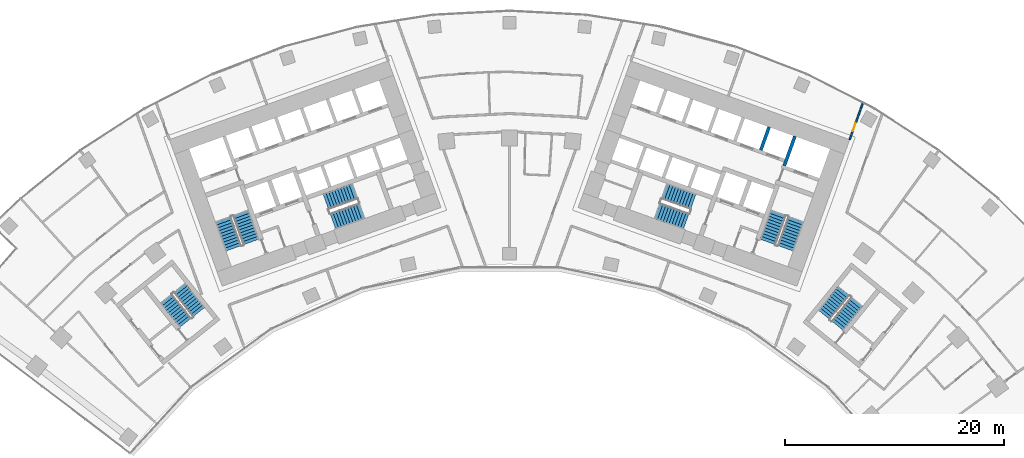
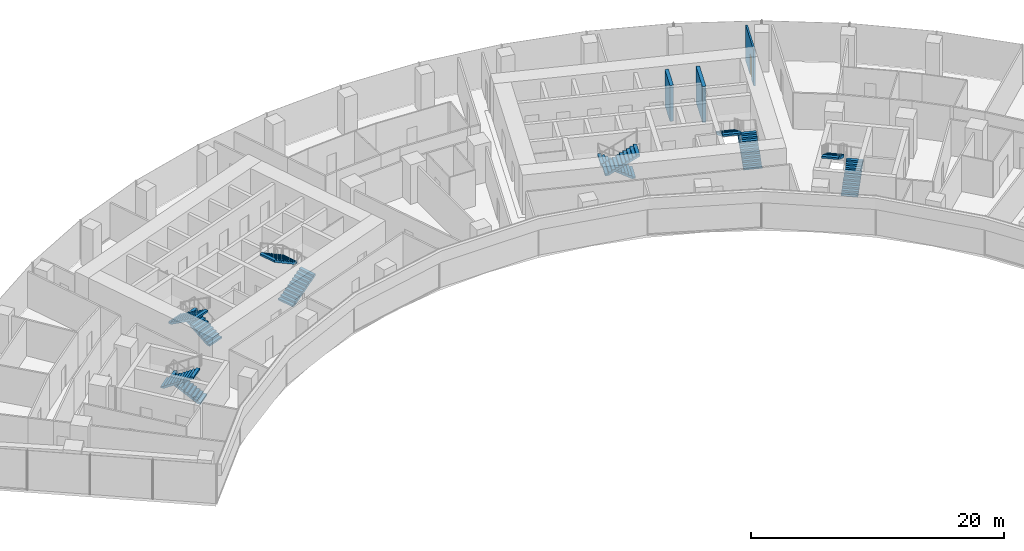
# One storey, part 19 of 21: 12 stair flights, 3 walls, 1 door, 1 opening, 6 elements without a shape of their own.
"""IFC4 building model written with IfcOpenShell, lengths in metres."""

from ifc_helpers import new_model, si_unit, direction, frame, frame_2d, origin, place, context, subcontext, project, spatial, polyline, rectangle, outline, extrude, material, layer, layer_set, type_object, element, fill, aggregate, save


model = new_model("IFC4")

# Units and contexts
model_context = context("Model", 3, precision=1e-05, world=origin(), true_north=direction((0.0, 1.0)))
body_context = subcontext(model_context, "Body", "Model", "MODEL_VIEW")
ifc_project = project(units=[si_unit("LENGTHUNIT", "METRE"), si_unit("AREAUNIT", "SQUARE_METRE"), si_unit("VOLUMEUNIT", "CUBIC_METRE"), si_unit("PLANEANGLEUNIT", "RADIAN"), si_unit("MASSUNIT", "GRAM", prefix="KILO")], contexts=[model_context])

# Site, building, storey
site_placement = place(None, origin())
site = spatial("IfcSite", under=ifc_project, at=site_placement, CompositionType="ELEMENT")
building_placement = place(site_placement, origin())
building = spatial("IfcBuilding", under=site, at=building_placement, Name="Stone Belt Terrace Tower", CompositionType="ELEMENT")
storey_placement = place(building_placement, frame((0.0, 0.0, 94.60009765625)))
storey = spatial("IfcBuildingStorey", under=building, at=storey_placement, Name="L22", CompositionType="ELEMENT", Elevation=94.60009765625)

# Walls
ifc_material_1 = material(Name="Concrete B80", Category="concrete")
ifc_layer_1 = layer(ifc_material_1, 0.300048828125)
ifc_layer_set_1 = layer_set([ifc_layer_1], Name="Lift shaft wall 300")
wall_type_1 = type_object("IfcWallType", Name="Lift shaft wall 300", PredefinedType="SHEAR", material=ifc_layer_set_1)
wall_1_placement = place(storey_placement, frame((25.046875, 52.46826171875, 0.0), z_axis=(0.0, 0.0, 1.0), x_axis=(0.338549588058, 0.940948551423, 0.0)))
element("IfcWall", 1, at=wall_1_placement, inside=storey, type_object=wall_type_1, Name="Core B wall", PredefinedType="SHEAR", context=body_context, shape_type="SweptSolid", body=[
    extrude(rectangle(XDim=2.849853515625, YDim=0.300048828125, at=frame_2d((1.4248046875, 0.0))), origin(), (0.0, 0.0, 1.0), 3.47998046875),
])
wall_2_placement = place(storey_placement, frame((22.897705078125, 53.87939453125, 0.0), z_axis=(0.0, 0.0, 1.0), x_axis=(0.338535034312, 0.940953787677, 0.0)))
element("IfcWall", 2, at=wall_2_placement, inside=storey, type_object=wall_type_1, Name="Core B wall", PredefinedType="SHEAR", context=body_context, shape_type="SweptSolid", body=[
    extrude(rectangle(XDim=2.25, YDim=0.300048828125, at=frame_2d((1.125, 0.0))), origin(), (0.0, 0.0, 1.0), 3.47998046875),
])

# Wall, opening, door
ifc_material_2 = material(Name="Gypsum board partition")
ifc_layer_2 = layer(ifc_material_2, 0.14990234375)
ifc_layer_set_2 = layer_set([ifc_layer_2], Name="PARTITION 150 EI 60")
wall_type_2 = type_object("IfcWallType", Name="PARTITION 150 EI 60", PredefinedType="PARTITIONING", material=ifc_layer_set_2)
wall_3_placement = place(storey_placement, frame((31.001953125, 54.842041015625, 0.0), z_axis=(0.0, 0.0, 1.0), x_axis=(0.338573586736, 0.940939916448, 0.0)))
wall_3 = element("IfcWall", 3, at=wall_3_placement, inside=storey, type_object=wall_type_2, Name="L22/wall/i021", PredefinedType="PARTITIONING", context=body_context, shape_type="SweptSolid", body=[
    extrude(rectangle(XDim=3.49658203125, YDim=0.14990234375, at=frame_2d((1.748291015625, 0.0))), origin(), (0.0, 0.0, 1.0), 3.47998046875),
])
opening_placement = place(wall_3_placement, frame((0.82421875, 0.0, 0.0)))
opening = element("IfcOpeningElement", 4, at=opening_placement, cuts=wall_3, Name="Opening D-B2-08", PredefinedType="OPENING", context=body_context, shape_type="SweptSolid", body=[
    extrude(rectangle(XDim=0.800048828125, YDim=2.10009765625, at=frame_2d((0.39990234375, 1.050048828125))), frame((0.0, 0.0849609375, 0.0), z_axis=(0.0, -1.0, 0.0), x_axis=(1.0, 0.0, 0.0)), (0.0, 0.0, 1.0), 0.169921875),
])
ifc_material_3 = material(Name="Timber door leaf", Category="wood")
door_type = type_object("IfcDoorType", Name="STORE DOOR 800 X 2100", OperationType="NOTDEFINED", PredefinedType="DOOR", material=ifc_material_3)
door_placement = place(opening_placement, origin())
door = element("IfcDoor", 5, at=door_placement, inside=storey, type_object=door_type, Name="L22/door/i08", OperationType="SINGLE_SWING_LEFT", OverallHeight=2.10009765625, OverallWidth=0.800048828125, PredefinedType="DOOR", context=body_context, shape_type="SweptSolid", body=[
    extrude(rectangle(XDim=0.800048828125, YDim=2.10009765625, at=frame_2d((0.39990234375, 1.050048828125))), frame((0.0, 0.02490234375, 0.0), z_axis=(0.0, -1.0, 0.0), x_axis=(1.0, 0.0, 0.0)), (0.0, 0.0, 1.0), 0.050048828125),
])
fill(opening, door)

# Stair, stair flights
ifc_material_4 = material(Name="Concrete B40", Category="concrete")
stair_type = type_object("IfcStairType", Name="Exit stair 1500", PredefinedType="HALF_TURN_STAIR", material=ifc_material_4)
stair_1_placement = place(storey_placement, origin())
stair_1 = element("IfcStair", 6, at=stair_1_placement, inside=storey, type_object=stair_type, Name="L22 Exit stair 1 core A", PredefinedType="HALF_TURN_STAIR")
stair_flight_type = type_object("IfcStairFlightType", Name="Stair flight 1500", PredefinedType="STRAIGHT", material=ifc_material_4)
stair_flight_1_placement = place(storey_placement, frame((-23.55322265625, 45.51318359375, 0.0), z_axis=(0.0, 0.0, 1.0), x_axis=(-0.338624396177, 0.940921632398, 0.0)))
stair_flight_1 = element("IfcStairFlight", 7, at=stair_flight_1_placement, type_object=stair_flight_type, Name="ST1A flight 1", NumberOfRisers=11, NumberOfTreads=10, PredefinedType="STRAIGHT", RiserHeight=0.172727273, TreadLength=0.28, context=body_context, shape_type="SweptSolid", body=[
    extrude(outline(polyline([(0.0, 0.0), (0.0, 0.172607421875), (0.280029296875, 0.172607421875), (0.280029296875, 0.345458984375), (0.56005859375, 0.345458984375), (0.56005859375, 0.51806640625), (0.840087890625, 0.51806640625), (0.840087890625, 0.69091796875), (1.1201171875, 0.69091796875), (1.1201171875, 0.863525390625), (1.39990234375, 0.863525390625), (1.39990234375, 1.036376953125), (1.679931640625, 1.036376953125), (1.679931640625, 1.208984375), (1.9599609375, 1.208984375), (1.9599609375, 1.3818359375), (2.239990234375, 1.3818359375), (2.239990234375, 1.554443359375), (2.52001953125, 1.554443359375), (2.52001953125, 1.727294921875), (2.800048828125, 1.727294921875), (2.800048828125, 1.89990234375), (2.800048828125, 1.551025390625), (0.285400390625, 0.0), (0.0, 0.0)])), frame((0.0, 0.75, 0.0), z_axis=(0.0, -1.0, 0.0), x_axis=(1.0, 0.0, 0.0)), (0.0, 0.0, 1.0), 1.5),
])
stair_flight_2_placement = place(storey_placement, frame((-26.10107421875, 47.572021484375, 1.89990234375), z_axis=(0.0, 0.0, 1.0), x_axis=(0.338624396177, -0.940921632398, 0.0)))
stair_flight_2 = element("IfcStairFlight", 8, at=stair_flight_2_placement, type_object=stair_flight_type, Name="ST1A flight 2", NumberOfRisers=11, NumberOfTreads=10, PredefinedType="STRAIGHT", RiserHeight=0.172727273, TreadLength=0.28, context=body_context, shape_type="SweptSolid", body=[
    extrude(outline(polyline([(0.0, 0.0), (0.0, 0.172607421875), (0.280029296875, 0.172607421875), (0.280029296875, 0.345458984375), (0.56005859375, 0.345458984375), (0.56005859375, 0.51806640625), (0.840087890625, 0.51806640625), (0.840087890625, 0.69091796875), (1.1201171875, 0.69091796875), (1.1201171875, 0.863525390625), (1.39990234375, 0.863525390625), (1.39990234375, 1.036376953125), (1.679931640625, 1.036376953125), (1.679931640625, 1.208984375), (1.9599609375, 1.208984375), (1.9599609375, 1.3818359375), (2.239990234375, 1.3818359375), (2.239990234375, 1.554443359375), (2.52001953125, 1.554443359375), (2.52001953125, 1.727294921875), (2.800048828125, 1.727294921875), (2.800048828125, 1.89990234375), (2.800048828125, 1.551025390625), (0.285400390625, 0.0), (0.0, 0.0)])), frame((0.0, 0.75, 0.0), z_axis=(0.0, -1.0, 0.0), x_axis=(1.0, 0.0, 0.0)), (0.0, 0.0, 1.0), 1.5),
])
aggregate(stair_1, [stair_flight_1, stair_flight_2])

stair_2_placement = place(storey_placement, origin())
stair_2 = element("IfcStair", 9, at=stair_2_placement, inside=storey, type_object=stair_type, Name="L22 Exit stair 2 core A", PredefinedType="HALF_TURN_STAIR")
stair_flight_3_placement = place(storey_placement, frame((-16.101318359375, 47.39794921875, 0.0), z_axis=(0.0, 0.0, 1.0), x_axis=(0.940921632398, 0.338624396177, 0.0)))
stair_flight_3 = element("IfcStairFlight", 10, at=stair_flight_3_placement, type_object=stair_flight_type, Name="ST2A flight 1", NumberOfRisers=11, NumberOfTreads=10, PredefinedType="STRAIGHT", RiserHeight=0.172727273, TreadLength=0.28, context=body_context, shape_type="SweptSolid", body=[
    extrude(outline(polyline([(0.0, 0.0), (0.0, 0.172607421875), (0.280029296875, 0.172607421875), (0.280029296875, 0.345458984375), (0.56005859375, 0.345458984375), (0.56005859375, 0.51806640625), (0.840087890625, 0.51806640625), (0.840087890625, 0.69091796875), (1.1201171875, 0.69091796875), (1.1201171875, 0.863525390625), (1.39990234375, 0.863525390625), (1.39990234375, 1.036376953125), (1.679931640625, 1.036376953125), (1.679931640625, 1.208984375), (1.9599609375, 1.208984375), (1.9599609375, 1.3818359375), (2.239990234375, 1.3818359375), (2.239990234375, 1.554443359375), (2.52001953125, 1.554443359375), (2.52001953125, 1.727294921875), (2.800048828125, 1.727294921875), (2.800048828125, 1.89990234375), (2.800048828125, 1.551025390625), (0.285400390625, 0.0), (0.0, 0.0)])), frame((0.0, 0.75, 0.0), z_axis=(0.0, -1.0, 0.0), x_axis=(1.0, 0.0, 0.0)), (0.0, 0.0, 1.0), 1.5),
])
stair_flight_4_placement = place(storey_placement, frame((-14.110107421875, 50.1337890625, 1.89990234375), z_axis=(0.0, 0.0, 1.0), x_axis=(-0.940921632398, -0.338624396177, 0.0)))
stair_flight_4 = element("IfcStairFlight", 11, at=stair_flight_4_placement, type_object=stair_flight_type, Name="ST2A flight 2", NumberOfRisers=11, NumberOfTreads=10, PredefinedType="STRAIGHT", RiserHeight=0.172727273, TreadLength=0.28, context=body_context, shape_type="SweptSolid", body=[
    extrude(outline(polyline([(0.0, 0.0), (0.0, 0.172607421875), (0.280029296875, 0.172607421875), (0.280029296875, 0.345458984375), (0.56005859375, 0.345458984375), (0.56005859375, 0.51806640625), (0.840087890625, 0.51806640625), (0.840087890625, 0.69091796875), (1.1201171875, 0.69091796875), (1.1201171875, 0.863525390625), (1.39990234375, 0.863525390625), (1.39990234375, 1.036376953125), (1.679931640625, 1.036376953125), (1.679931640625, 1.208984375), (1.9599609375, 1.208984375), (1.9599609375, 1.3818359375), (2.239990234375, 1.3818359375), (2.239990234375, 1.554443359375), (2.52001953125, 1.554443359375), (2.52001953125, 1.727294921875), (2.800048828125, 1.727294921875), (2.800048828125, 1.89990234375), (2.800048828125, 1.551025390625), (0.285400390625, 0.0), (0.0, 0.0)])), frame((0.0, 0.75, 0.0), z_axis=(0.0, -1.0, 0.0), x_axis=(1.0, 0.0, 0.0)), (0.0, 0.0, 1.0), 1.5),
])
aggregate(stair_2, [stair_flight_3, stair_flight_4])

stair_3_placement = place(storey_placement, origin())
stair_3 = element("IfcStair", 12, at=stair_3_placement, inside=storey, type_object=stair_type, Name="L22 Exit stair 1 core B", PredefinedType="HALF_TURN_STAIR")
stair_flight_5_placement = place(storey_placement, frame((25.15283203125, 44.9375, 0.0), z_axis=(0.0, 0.0, 1.0), x_axis=(0.338624396177, 0.940921632398, 0.0)))
stair_flight_5 = element("IfcStairFlight", 13, at=stair_flight_5_placement, type_object=stair_flight_type, Name="ST1B flight 1", NumberOfRisers=11, NumberOfTreads=10, PredefinedType="STRAIGHT", RiserHeight=0.172727273, TreadLength=0.28, context=body_context, shape_type="SweptSolid", body=[
    extrude(outline(polyline([(0.0, 0.0), (0.0, 0.172607421875), (0.280029296875, 0.172607421875), (0.280029296875, 0.345458984375), (0.56005859375, 0.345458984375), (0.56005859375, 0.51806640625), (0.840087890625, 0.51806640625), (0.840087890625, 0.69091796875), (1.1201171875, 0.69091796875), (1.1201171875, 0.863525390625), (1.39990234375, 0.863525390625), (1.39990234375, 1.036376953125), (1.679931640625, 1.036376953125), (1.679931640625, 1.208984375), (1.9599609375, 1.208984375), (1.9599609375, 1.3818359375), (2.239990234375, 1.3818359375), (2.239990234375, 1.554443359375), (2.52001953125, 1.554443359375), (2.52001953125, 1.727294921875), (2.800048828125, 1.727294921875), (2.800048828125, 1.89990234375), (2.800048828125, 1.551025390625), (0.285400390625, 0.0), (0.0, 0.0)])), frame((0.0, 0.75, 0.0), z_axis=(0.0, -1.0, 0.0), x_axis=(1.0, 0.0, 0.0)), (0.0, 0.0, 1.0), 1.5),
])
stair_flight_6_placement = place(storey_placement, frame((24.50146484375, 48.147705078125, 1.89990234375), z_axis=(0.0, 0.0, 1.0), x_axis=(-0.338624396177, -0.940921632398, 0.0)))
stair_flight_6 = element("IfcStairFlight", 14, at=stair_flight_6_placement, type_object=stair_flight_type, Name="ST1B flight 2", NumberOfRisers=11, NumberOfTreads=10, PredefinedType="STRAIGHT", RiserHeight=0.172727273, TreadLength=0.28, context=body_context, shape_type="SweptSolid", body=[
    extrude(outline(polyline([(0.0, 0.0), (0.0, 0.172607421875), (0.280029296875, 0.172607421875), (0.280029296875, 0.345458984375), (0.56005859375, 0.345458984375), (0.56005859375, 0.51806640625), (0.840087890625, 0.51806640625), (0.840087890625, 0.69091796875), (1.1201171875, 0.69091796875), (1.1201171875, 0.863525390625), (1.39990234375, 0.863525390625), (1.39990234375, 1.036376953125), (1.679931640625, 1.036376953125), (1.679931640625, 1.208984375), (1.9599609375, 1.208984375), (1.9599609375, 1.3818359375), (2.239990234375, 1.3818359375), (2.239990234375, 1.554443359375), (2.52001953125, 1.554443359375), (2.52001953125, 1.727294921875), (2.800048828125, 1.727294921875), (2.800048828125, 1.89990234375), (2.800048828125, 1.551025390625), (0.285400390625, 0.0), (0.0, 0.0)])), frame((0.0, 0.75, 0.0), z_axis=(0.0, -1.0, 0.0), x_axis=(1.0, 0.0, 0.0)), (0.0, 0.0, 1.0), 1.5),
])
aggregate(stair_3, [stair_flight_5, stair_flight_6])

stair_4_placement = place(storey_placement, origin())
stair_4 = element("IfcStair", 15, at=stair_4_placement, inside=storey, type_object=stair_type, Name="L22 Exit stair 2 core B", PredefinedType="HALF_TURN_STAIR")
stair_flight_7_placement = place(storey_placement, frame((16.74462890625, 49.185546875, 0.0), z_axis=(0.0, 0.0, 1.0), x_axis=(-0.940921632398, 0.338624396177, 0.0)))
stair_flight_7 = element("IfcStairFlight", 16, at=stair_flight_7_placement, type_object=stair_flight_type, Name="ST2B flight 1", NumberOfRisers=11, NumberOfTreads=10, PredefinedType="STRAIGHT", RiserHeight=0.172727273, TreadLength=0.28, context=body_context, shape_type="SweptSolid", body=[
    extrude(outline(polyline([(0.0, 0.0), (0.0, 0.172607421875), (0.280029296875, 0.172607421875), (0.280029296875, 0.345458984375), (0.56005859375, 0.345458984375), (0.56005859375, 0.51806640625), (0.840087890625, 0.51806640625), (0.840087890625, 0.69091796875), (1.1201171875, 0.69091796875), (1.1201171875, 0.863525390625), (1.39990234375, 0.863525390625), (1.39990234375, 1.036376953125), (1.679931640625, 1.036376953125), (1.679931640625, 1.208984375), (1.9599609375, 1.208984375), (1.9599609375, 1.3818359375), (2.239990234375, 1.3818359375), (2.239990234375, 1.554443359375), (2.52001953125, 1.554443359375), (2.52001953125, 1.727294921875), (2.800048828125, 1.727294921875), (2.800048828125, 1.89990234375), (2.800048828125, 1.551025390625), (0.285400390625, 0.0), (0.0, 0.0)])), frame((0.0, 0.75, 0.0), z_axis=(0.0, -1.0, 0.0), x_axis=(1.0, 0.0, 0.0)), (0.0, 0.0, 1.0), 1.5),
])
stair_flight_8_placement = place(storey_placement, frame((13.466796875, 48.345947265625, 1.89990234375), z_axis=(0.0, 0.0, 1.0), x_axis=(0.940921632398, -0.338624396177, 0.0)))
stair_flight_8 = element("IfcStairFlight", 17, at=stair_flight_8_placement, type_object=stair_flight_type, Name="ST2B flight 2", NumberOfRisers=11, NumberOfTreads=10, PredefinedType="STRAIGHT", RiserHeight=0.172727273, TreadLength=0.28, context=body_context, shape_type="SweptSolid", body=[
    extrude(outline(polyline([(0.0, 0.0), (0.0, 0.172607421875), (0.280029296875, 0.172607421875), (0.280029296875, 0.345458984375), (0.56005859375, 0.345458984375), (0.56005859375, 0.51806640625), (0.840087890625, 0.51806640625), (0.840087890625, 0.69091796875), (1.1201171875, 0.69091796875), (1.1201171875, 0.863525390625), (1.39990234375, 0.863525390625), (1.39990234375, 1.036376953125), (1.679931640625, 1.036376953125), (1.679931640625, 1.208984375), (1.9599609375, 1.208984375), (1.9599609375, 1.3818359375), (2.239990234375, 1.3818359375), (2.239990234375, 1.554443359375), (2.52001953125, 1.554443359375), (2.52001953125, 1.727294921875), (2.800048828125, 1.727294921875), (2.800048828125, 1.89990234375), (2.800048828125, 1.551025390625), (0.285400390625, 0.0), (0.0, 0.0)])), frame((0.0, 0.75, 0.0), z_axis=(0.0, -1.0, 0.0), x_axis=(1.0, 0.0, 0.0)), (0.0, 0.0, 1.0), 1.5),
])
aggregate(stair_4, [stair_flight_7, stair_flight_8])

stair_5_placement = place(storey_placement, origin())
stair_5 = element("IfcStair", 18, at=stair_5_placement, inside=storey, type_object=stair_type, Name="L22 Exit stair 3A", PredefinedType="HALF_TURN_STAIR")
stair_flight_9_placement = place(storey_placement, frame((-28.325439453125, 39.1240234375, 0.0), z_axis=(0.0, 0.0, 1.0), x_axis=(-0.623121363691, 0.782125160132, 0.0)))
stair_flight_9 = element("IfcStairFlight", 19, at=stair_flight_9_placement, type_object=stair_flight_type, Name="ST3A flight 1", NumberOfRisers=11, NumberOfTreads=10, PredefinedType="STRAIGHT", RiserHeight=0.172727273, TreadLength=0.28, context=body_context, shape_type="SweptSolid", body=[
    extrude(outline(polyline([(0.0, 0.0), (0.0, 0.172607421875), (0.280029296875, 0.172607421875), (0.280029296875, 0.345458984375), (0.56005859375, 0.345458984375), (0.56005859375, 0.51806640625), (0.840087890625, 0.51806640625), (0.840087890625, 0.69091796875), (1.1201171875, 0.69091796875), (1.1201171875, 0.863525390625), (1.39990234375, 0.863525390625), (1.39990234375, 1.036376953125), (1.679931640625, 1.036376953125), (1.679931640625, 1.208984375), (1.9599609375, 1.208984375), (1.9599609375, 1.3818359375), (2.239990234375, 1.3818359375), (2.239990234375, 1.554443359375), (2.52001953125, 1.554443359375), (2.52001953125, 1.727294921875), (2.800048828125, 1.727294921875), (2.800048828125, 1.89990234375), (2.800048828125, 1.551025390625), (0.285400390625, 0.0), (0.0, 0.0)])), frame((0.0, 0.675048828125, 0.0), z_axis=(0.0, -1.0, 0.0), x_axis=(1.0, 0.0, 0.0)), (0.0, 0.0, 1.0), 1.35009765625),
])
stair_flight_10_placement = place(storey_placement, frame((-31.282470703125, 40.34814453125, 1.89990234375), z_axis=(0.0, 0.0, 1.0), x_axis=(0.623121363691, -0.782125160132, 0.0)))
stair_flight_10 = element("IfcStairFlight", 20, at=stair_flight_10_placement, type_object=stair_flight_type, Name="ST3A flight 2", NumberOfRisers=11, NumberOfTreads=10, PredefinedType="STRAIGHT", RiserHeight=0.172727273, TreadLength=0.28, context=body_context, shape_type="SweptSolid", body=[
    extrude(outline(polyline([(0.0, 0.0), (0.0, 0.172607421875), (0.280029296875, 0.172607421875), (0.280029296875, 0.345458984375), (0.56005859375, 0.345458984375), (0.56005859375, 0.51806640625), (0.840087890625, 0.51806640625), (0.840087890625, 0.69091796875), (1.1201171875, 0.69091796875), (1.1201171875, 0.863525390625), (1.39990234375, 0.863525390625), (1.39990234375, 1.036376953125), (1.679931640625, 1.036376953125), (1.679931640625, 1.208984375), (1.9599609375, 1.208984375), (1.9599609375, 1.3818359375), (2.239990234375, 1.3818359375), (2.239990234375, 1.554443359375), (2.52001953125, 1.554443359375), (2.52001953125, 1.727294921875), (2.800048828125, 1.727294921875), (2.800048828125, 1.89990234375), (2.800048828125, 1.551025390625), (0.285400390625, 0.0), (0.0, 0.0)])), frame((0.0, 0.675048828125, 0.0), z_axis=(0.0, -1.0, 0.0), x_axis=(1.0, 0.0, 0.0)), (0.0, 0.0, 1.0), 1.35009765625),
])
aggregate(stair_5, [stair_flight_9, stair_flight_10])

stair_6_placement = place(storey_placement, origin())
stair_6 = element("IfcStair", 21, at=stair_6_placement, inside=storey, type_object=stair_type, Name="L22 Exit stair 3B", PredefinedType="HALF_TURN_STAIR")
stair_flight_11_placement = place(storey_placement, frame((29.88330078125, 37.887939453125, 0.0), z_axis=(0.0, 0.0, 1.0), x_axis=(0.630205749599, 0.776428176441, 0.0)))
stair_flight_11 = element("IfcStairFlight", 22, at=stair_flight_11_placement, type_object=stair_flight_type, Name="ST3B flight 1", NumberOfRisers=11, NumberOfTreads=10, PredefinedType="STRAIGHT", RiserHeight=0.172727273, TreadLength=0.28, context=body_context, shape_type="SweptSolid", body=[
    extrude(outline(polyline([(0.0, 0.0), (0.0, 0.172607421875), (0.280029296875, 0.172607421875), (0.280029296875, 0.345458984375), (0.56005859375, 0.345458984375), (0.56005859375, 0.51806640625), (0.840087890625, 0.51806640625), (0.840087890625, 0.69091796875), (1.1201171875, 0.69091796875), (1.1201171875, 0.863525390625), (1.39990234375, 0.863525390625), (1.39990234375, 1.036376953125), (1.679931640625, 1.036376953125), (1.679931640625, 1.208984375), (1.9599609375, 1.208984375), (1.9599609375, 1.3818359375), (2.239990234375, 1.3818359375), (2.239990234375, 1.554443359375), (2.52001953125, 1.554443359375), (2.52001953125, 1.727294921875), (2.800048828125, 1.727294921875), (2.800048828125, 1.89990234375), (2.800048828125, 1.551025390625), (0.285400390625, 0.0), (0.0, 0.0)])), frame((0.0, 0.675048828125, 0.0), z_axis=(0.0, -1.0, 0.0), x_axis=(1.0, 0.0, 0.0)), (0.0, 0.0, 1.0), 1.35009765625),
])
stair_flight_12_placement = place(storey_placement, frame((30.4443359375, 41.038818359375, 1.89990234375), z_axis=(0.0, 0.0, 1.0), x_axis=(-0.630205749599, -0.776428176441, 0.0)))
stair_flight_12 = element("IfcStairFlight", 23, at=stair_flight_12_placement, type_object=stair_flight_type, Name="ST3B flight 2", NumberOfRisers=11, NumberOfTreads=10, PredefinedType="STRAIGHT", RiserHeight=0.172727273, TreadLength=0.28, context=body_context, shape_type="SweptSolid", body=[
    extrude(outline(polyline([(0.0, 0.0), (0.0, 0.172607421875), (0.280029296875, 0.172607421875), (0.280029296875, 0.345458984375), (0.56005859375, 0.345458984375), (0.56005859375, 0.51806640625), (0.840087890625, 0.51806640625), (0.840087890625, 0.69091796875), (1.1201171875, 0.69091796875), (1.1201171875, 0.863525390625), (1.39990234375, 0.863525390625), (1.39990234375, 1.036376953125), (1.679931640625, 1.036376953125), (1.679931640625, 1.208984375), (1.9599609375, 1.208984375), (1.9599609375, 1.3818359375), (2.239990234375, 1.3818359375), (2.239990234375, 1.554443359375), (2.52001953125, 1.554443359375), (2.52001953125, 1.727294921875), (2.800048828125, 1.727294921875), (2.800048828125, 1.89990234375), (2.800048828125, 1.551025390625), (0.285400390625, 0.0), (0.0, 0.0)])), frame((0.0, 0.675048828125, 0.0), z_axis=(0.0, -1.0, 0.0), x_axis=(1.0, 0.0, 0.0)), (0.0, 0.0, 1.0), 1.35009765625),
])
aggregate(stair_6, [stair_flight_11, stair_flight_12])

save(model, "model.ifc")
